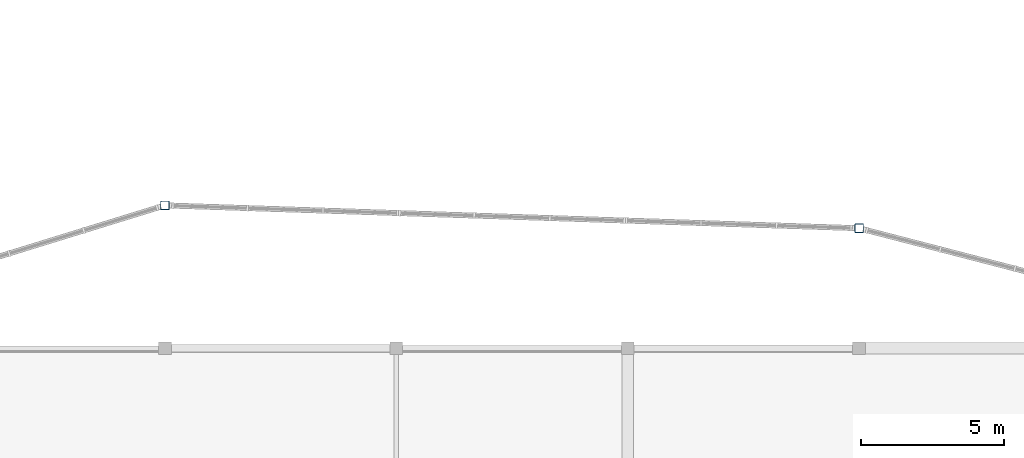
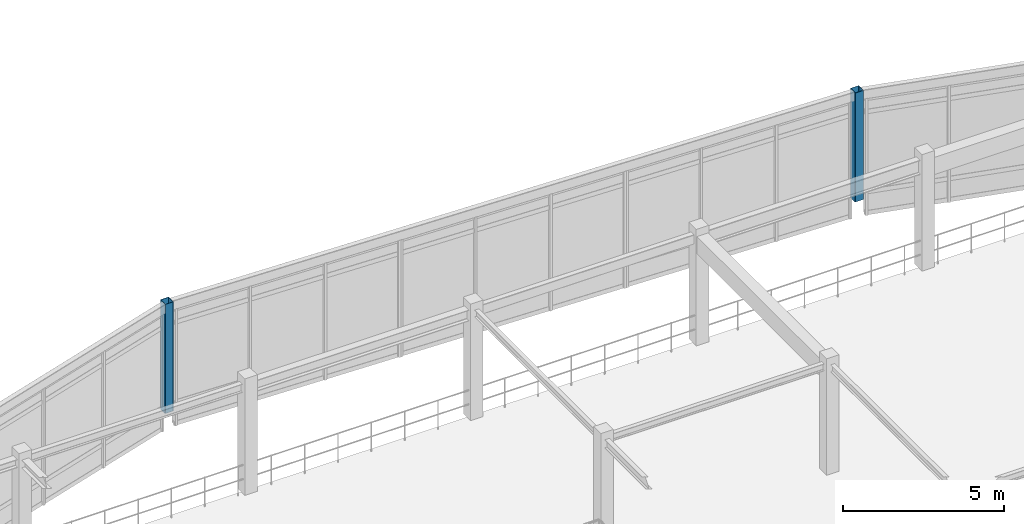
# One storey, part 10 of 89: 2 columns.
"""IFC4 building model written with IfcOpenShell, lengths in metres."""

from ifc_helpers import new_model, si_unit, direction, frame, origin, origin_2d, place, context, subcontext, project, spatial, hollow_rectangle, extrude, material, material_profile, profile_set, type_object, element, save


model = new_model("IFC4")

# Units and contexts
model_context = context("Model", 3, precision=1e-05, world=origin(), true_north=direction((0.0, 1.0)))
body_context = subcontext(model_context, "Body", "Model", "MODEL_VIEW")
ifc_project = project(units=[si_unit("LENGTHUNIT", "METRE"), si_unit("AREAUNIT", "SQUARE_METRE"), si_unit("VOLUMEUNIT", "CUBIC_METRE"), si_unit("PLANEANGLEUNIT", "RADIAN"), si_unit("MASSUNIT", "GRAM", prefix="KILO")], contexts=[model_context])

# Site, building, storey
site_placement = place(None, origin())
site = spatial("IfcSite", under=ifc_project, at=site_placement, CompositionType="ELEMENT")
building_placement = place(site_placement, origin())
building = spatial("IfcBuilding", under=site, at=building_placement, Name="Vaudrelin Polytechnic", CompositionType="ELEMENT")
storey_placement = place(building_placement, frame((0.0, 0.0, 9.68994140625)))
storey = spatial("IfcBuildingStorey", under=building, at=storey_placement, Name="L02", CompositionType="ELEMENT", Elevation=9.68994140625)

# Columns
ifc_material = material(Name="Steel CSA G40.21 350WT", Category="steel")
ifc_material_profile = material_profile(ifc_material, hollow_rectangle(XDim=0.304931640625, YDim=0.304931640625, WallThickness=0.0126953125, InnerFilletRadius=0.0126953125, OuterFilletRadius=0.025390625, at=origin_2d()), Name="HSS305x305x12.7")
ifc_profile_set = profile_set([ifc_material_profile], Name="Steel CSA G40.21 350WT")
column_type = type_object("IfcColumnType", Name="COL-C-HSS305", PredefinedType="COLUMN", material=ifc_profile_set)
for number, where, z_axis, x_axis, name in (
    (1, (72.89990234375, 53.60009765625, 0.0), (0.0, 0.0, 1.0), (1.0, 0.0, 0.0), "Deconstructivist column L02 CT_OR1_1"),
    (2, (97.199951171875, 52.800048828125, 0.0), (0.0, 0.0, 1.0), (1.0, 0.0, 0.0), "Deconstructivist column L02 CT_OR1_2"),
):
    element("IfcColumn", number, at=place(storey_placement, frame(where, z_axis=z_axis, x_axis=x_axis)), inside=storey, type_object=column_type, Name=name, PredefinedType="COLUMN", context=body_context, shape_type="SweptSolid", body=[
        extrude(hollow_rectangle(XDim=0.304931640625, YDim=0.304931640625, WallThickness=0.0126953125, InnerFilletRadius=0.0126953125, OuterFilletRadius=0.025390625, at=origin_2d()), origin(), (0.0, 0.0, 1.0), 4.14013671875),
    ])

save(model, "model.ifc")
